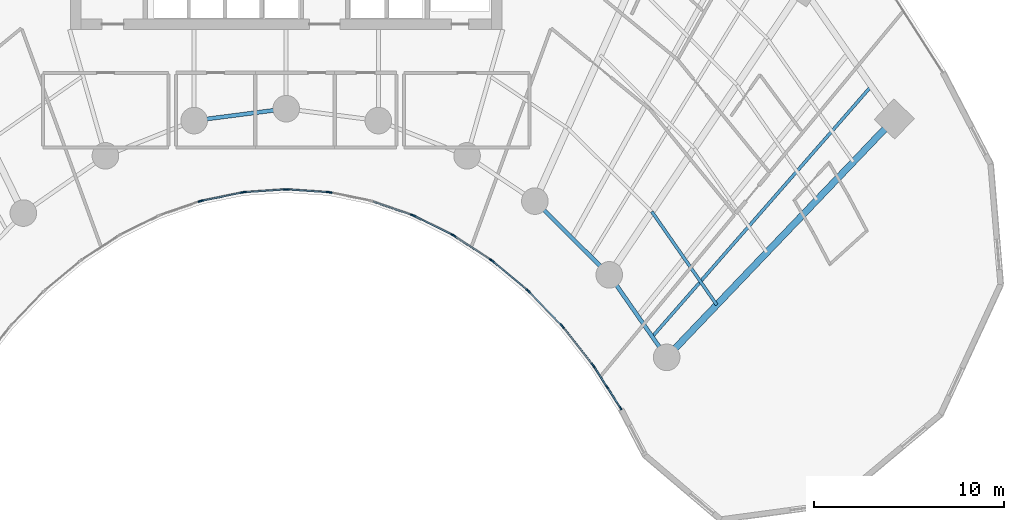
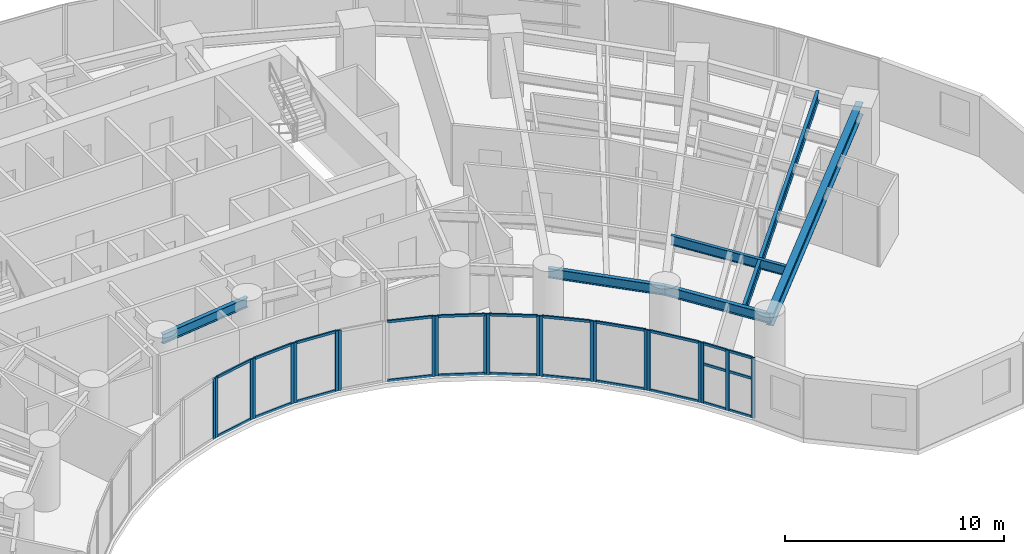
# One storey, part 4 of 17: 46 members, 6 beams, 12 elements without a shape of their own.
"""IFC4 building model written with IfcOpenShell, lengths in metres."""

from ifc_helpers import new_model, si_unit, direction, frame, origin, origin_2d, place, context, subcontext, project, spatial, rectangle, i_section, extrude, source, transform, mapped, material, layer, layer_set, material_profile, profile_set, type_object, type_shapes, element, aggregate, save


model = new_model("IFC4")

# Units and contexts
model_context = context("Model", 3, precision=1e-05, world=origin(), true_north=direction((0.0, 1.0)))
body_context = subcontext(model_context, "Body", "Model", "MODEL_VIEW")
ifc_project = project(units=[si_unit("LENGTHUNIT", "METRE"), si_unit("AREAUNIT", "SQUARE_METRE"), si_unit("VOLUMEUNIT", "CUBIC_METRE"), si_unit("PLANEANGLEUNIT", "RADIAN"), si_unit("MASSUNIT", "GRAM", prefix="KILO")], contexts=[model_context])

# Site, building, storey
site_placement = place(None, origin())
site = spatial("IfcSite", under=ifc_project, at=site_placement, CompositionType="ELEMENT")
building_placement = place(site_placement, origin())
building = spatial("IfcBuilding", under=site, at=building_placement, Name="Breltana Convention Tower", CompositionType="ELEMENT")
storey_placement = place(building_placement, frame((0.0, 0.0, 53.39990234375)))
storey = spatial("IfcBuildingStorey", under=building, at=storey_placement, Name="L11", CompositionType="ELEMENT", Elevation=53.39990234375)

# Beams
ifc_material_1 = material(Name="Steel ASTM A992 Grade 50", Category="steel")
ifc_material_profile_1 = material_profile(ifc_material_1, i_section(OverallWidth=0.35498046875, OverallDepth=0.696044921875, WebThickness=0.015380859375, FlangeThickness=0.02490234375, at=origin_2d()), Name="W27X146")
ifc_profile_set_1 = profile_set([ifc_material_profile_1], Name="Steel ASTM A992 Grade 50")
beam_type_1 = type_object("IfcBeamType", Name="BM-RG-W27X146", PredefinedType="USERDEFINED", material=ifc_profile_set_1)
shared_shape_1 = source(origin(), body_context, "Body", "SweptSolid", [
    extrude(i_section(OverallWidth=0.35498046875, OverallDepth=0.696044921875, WebThickness=0.015380859375, FlangeThickness=0.02490234375, at=origin_2d()), origin(), (0.0, 0.0, 1.0), 17.341064453125),
])
type_shapes(beam_type_1, [shared_shape_1])
beam_1_placement = place(storey_placement, frame((68.015380859375, 42.95458984375, 3.01220703125), z_axis=(0.690716462293, 0.723125693581, 0.0), x_axis=(-0.723125693581, 0.690716462293, 0.0)))
element("IfcBeam", 1, at=beam_1_placement, inside=storey, type_object=beam_type_1, Name="L11 Radial Floor Girder R11", ObjectType="GIRDER", PredefinedType="USERDEFINED", context=body_context, shape_type="MappedRepresentation", body=[
    mapped(shared_shape_1, transform((0.0, 0.0, 0.0), scale=1.0)),
])
ifc_material_profile_2 = material_profile(ifc_material_1, i_section(OverallWidth=0.2099609375, OverallDepth=0.537109375, WebThickness=0.010986328125, FlangeThickness=0.017333984375, at=origin_2d()), Name="W21X68")
ifc_profile_set_2 = profile_set([ifc_material_profile_2], Name="Steel ASTM A992 Grade 50")
beam_type_2 = type_object("IfcBeamType", Name="BM-BM-W21X68", PredefinedType="BEAM", material=ifc_profile_set_2)
shared_shape_2 = source(origin(), body_context, "Body", "SweptSolid", [
    extrude(i_section(OverallWidth=0.2099609375, OverallDepth=0.537109375, WebThickness=0.010986328125, FlangeThickness=0.017333984375, at=origin_2d()), origin(), (0.0, 0.0, 1.0), 4.88671875),
])
beam_2_placement = place(storey_placement, frame((43.153564453125, 55.41064453125, 3.091552734375), z_axis=(0.991780525565, 0.127950729231, 0.0), x_axis=(-0.127950729231, 0.991780525565, 0.0)))
element("IfcBeam", 2, at=beam_2_placement, inside=storey, type_object=beam_type_2, Name="L11 Inner Ring Beam 05", PredefinedType="BEAM", context=body_context, shape_type="MappedRepresentation", body=[
    mapped(shared_shape_2, transform((0.0, 0.0, 0.0), scale=1.0)),
])
shared_shape_3 = source(origin(), body_context, "Body", "SweptSolid", [
    extrude(i_section(OverallWidth=0.2099609375, OverallDepth=0.537109375, WebThickness=0.010986328125, FlangeThickness=0.017333984375, at=origin_2d()), origin(), (0.0, 0.0, 1.0), 5.51171875),
])
beam_3_placement = place(storey_placement, frame((61.08203125, 51.174560546875, 3.091552734375), z_axis=(0.710090360749, -0.704110559196, 0.0), x_axis=(0.704110559196, 0.710090360749, 0.0)))
element("IfcBeam", 3, at=beam_3_placement, inside=storey, type_object=beam_type_2, Name="L11 Inner Ring Beam 09", PredefinedType="BEAM", context=body_context, shape_type="MappedRepresentation", body=[
    mapped(shared_shape_3, transform((0.0, 0.0, 0.0), scale=1.0)),
])
shared_shape_4 = source(origin(), body_context, "Body", "SweptSolid", [
    extrude(i_section(OverallWidth=0.2099609375, OverallDepth=0.537109375, WebThickness=0.010986328125, FlangeThickness=0.017333984375, at=origin_2d()), origin(), (0.0, 0.0, 1.0), 5.286376953125),
])
beam_4_placement = place(storey_placement, frame((64.995849609375, 47.293701171875, 3.091552734375), z_axis=(0.571194382458, -0.82081482531, 0.0), x_axis=(0.82081482531, 0.571194382458, 0.0)))
element("IfcBeam", 4, at=beam_4_placement, inside=storey, type_object=beam_type_2, Name="L11 Inner Ring Beam 10", PredefinedType="BEAM", context=body_context, shape_type="MappedRepresentation", body=[
    mapped(shared_shape_4, transform((0.0, 0.0, 0.0), scale=1.0)),
])
ifc_material_profile_3 = material_profile(ifc_material_1, i_section(OverallWidth=0.166015625, OverallDepth=0.534912109375, WebThickness=0.01025390625, FlangeThickness=0.0166015625, at=origin_2d()), Name="W21X57")
ifc_profile_set_3 = profile_set([ifc_material_profile_3], Name="Steel ASTM A992 Grade 50")
beam_type_3 = type_object("IfcBeamType", Name="BM-JSG-05", PredefinedType="JOIST", material=ifc_profile_set_3)
shared_shape_5 = source(origin(), body_context, "Body", "SweptSolid", [
    extrude(i_section(OverallWidth=0.166015625, OverallDepth=0.534912109375, WebThickness=0.01025390625, FlangeThickness=0.0166015625, at=origin_2d()), origin(), (0.0, 0.0, 1.0), 5.982421875),
])
beam_5_placement = place(storey_placement, frame((67.2333984375, 50.623779296875, 3.092529296875), z_axis=(0.571211549446, -0.82080287876, 0.0), x_axis=(0.82080287876, 0.571211549446, 0.0)))
element("IfcBeam", 5, at=beam_5_placement, inside=storey, type_object=beam_type_3, Name="L11 Composite Floor Joist 10.1", PredefinedType="JOIST", context=body_context, shape_type="MappedRepresentation", body=[
    mapped(shared_shape_5, transform((0.0, 0.0, 0.0), scale=1.0)),
])
shared_shape_6 = source(origin(), body_context, "Body", "SweptSolid", [
    extrude(i_section(OverallWidth=0.166015625, OverallDepth=0.534912109375, WebThickness=0.01025390625, FlangeThickness=0.0166015625, at=origin_2d()), origin(), (0.0, 0.0, 1.0), 17.515625),
])
beam_6_placement = place(storey_placement, frame((67.260498046875, 44.03955078125, 3.092529296875), z_axis=(0.658051548324, 0.752972881151, 0.0), x_axis=(-0.752972881151, 0.658051548324, 0.0)))
element("IfcBeam", 6, at=beam_6_placement, inside=storey, type_object=beam_type_3, Name="L11 Quarter-Bay Radial Trimmer 10", PredefinedType="JOIST", context=body_context, shape_type="MappedRepresentation", body=[
    mapped(shared_shape_6, transform((0.0, 0.0, 0.0), scale=1.0)),
])

# Curtain wall, members
ifc_material_2 = material(Name="Aluminium Anodised Bronze Frame", Category="aluminium")
ifc_layer = layer(ifc_material_2, 0.18994140625, Name="Aluminium Anodised Bronze Frame")
ifc_layer_set = layer_set([ifc_layer], Name="Aluminium Anodised Bronze Frame")
curtain_wall_type = type_object("IfcCurtainWallType", Name="CW-SYS-1", PredefinedType="NOTDEFINED", material=ifc_layer_set)
curtain_wall_1_placement = place(storey_placement, origin())
curtain_wall_1 = element("IfcCurtainWall", 7, at=curtain_wall_1_placement, inside=storey, type_object=curtain_wall_type, Name="L11 inner south-court glazing 3", PredefinedType="NOTDEFINED")
ifc_material_3 = material(Name="Aluminium Anodised Bronze", Category="aluminium")
ifc_material_profile_4 = material_profile(ifc_material_3, rectangle(XDim=0.080078125, YDim=0.139892578125, at=origin_2d()), Name="CWT-80X140")
ifc_profile_set_4 = profile_set([ifc_material_profile_4], Name="Aluminium Anodised Bronze")
member_type_1 = type_object("IfcMemberType", Name="CWT-140", PredefinedType="USERDEFINED", material=ifc_profile_set_4)
shared_shape_7 = source(origin(), body_context, "Body", "SweptSolid", [
    extrude(rectangle(XDim=0.080078125, YDim=0.139892578125, at=origin_2d()), origin(), (0.0, 0.0, 1.0), 2.38720703125),
])
type_shapes(member_type_1, [shared_shape_7])
member_1_placement = place(storey_placement, frame((62.4560546875, 44.667724609375, 0.0400390625), z_axis=(-0.694623715393, 0.719373264734, 0.0), x_axis=(-0.719373264734, -0.694623715393, 0.0)))
member_1 = element("IfcMember", 8, at=member_1_placement, type_object=member_type_1, Name="CW-01 transom 1.1", ObjectType="TRANSOM", PredefinedType="USERDEFINED", context=body_context, shape_type="MappedRepresentation", body=[
    mapped(shared_shape_7, transform((0.0, 0.0, 0.0), scale=1.0)),
])
member_2_placement = place(storey_placement, frame((62.4560546875, 44.667724609375, 3.320068359375), z_axis=(-0.694623715393, 0.719373264734, 0.0), x_axis=(-0.719373264734, -0.694623715393, 0.0)))
member_2 = element("IfcMember", 9, at=member_2_placement, type_object=member_type_1, Name="CW-01 transom 1.2", ObjectType="TRANSOM", PredefinedType="USERDEFINED", context=body_context, shape_type="MappedRepresentation", body=[
    mapped(shared_shape_7, transform((0.0, 0.0, 0.0), scale=1.0)),
])

curtain_wall_2_placement = place(storey_placement, origin())
curtain_wall_2 = element("IfcCurtainWall", 10, at=curtain_wall_2_placement, inside=storey, type_object=curtain_wall_type, Name="L11 inner south-court glazing 4", PredefinedType="NOTDEFINED")
shared_shape_8 = source(origin(), body_context, "Body", "SweptSolid", [
    extrude(rectangle(XDim=0.080078125, YDim=0.139892578125, at=origin_2d()), origin(), (0.0, 0.0, 1.0), 2.312255859375),
])
member_3_placement = place(storey_placement, frame((60.666748046875, 46.5068359375, 0.0400390625), z_axis=(-0.767900974507, 0.640568570374, 0.0), x_axis=(-0.640568570374, -0.767900974507, 0.0)))
member_3 = element("IfcMember", 11, at=member_3_placement, type_object=member_type_1, Name="CW-01 transom 1.1", ObjectType="TRANSOM", PredefinedType="USERDEFINED", context=body_context, shape_type="MappedRepresentation", body=[
    mapped(shared_shape_8, transform((0.0, 0.0, 0.0), scale=1.0)),
])
member_4_placement = place(storey_placement, frame((60.666748046875, 46.5068359375, 3.320068359375), z_axis=(-0.767900974507, 0.640568570374, 0.0), x_axis=(-0.640568570374, -0.767900974507, 0.0)))
member_4 = element("IfcMember", 12, at=member_4_placement, type_object=member_type_1, Name="CW-01 transom 1.2", ObjectType="TRANSOM", PredefinedType="USERDEFINED", context=body_context, shape_type="MappedRepresentation", body=[
    mapped(shared_shape_8, transform((0.0, 0.0, 0.0), scale=1.0)),
])

curtain_wall_3_placement = place(storey_placement, origin())
curtain_wall_3 = element("IfcCurtainWall", 13, at=curtain_wall_3_placement, inside=storey, type_object=curtain_wall_type, Name="L11 inner south-court glazing 5", PredefinedType="NOTDEFINED")
shared_shape_9 = source(origin(), body_context, "Body", "SweptSolid", [
    extrude(rectangle(XDim=0.080078125, YDim=0.139892578125, at=origin_2d()), origin(), (0.0, 0.0, 1.0), 2.2421875),
])
member_5_placement = place(storey_placement, frame((58.746337890625, 48.095458984375, 0.0400390625), z_axis=(-0.835982353773, 0.548756324957, 0.0), x_axis=(-0.548756324957, -0.835982353773, 0.0)))
member_5 = element("IfcMember", 14, at=member_5_placement, type_object=member_type_1, Name="CW-01 transom 1.1", ObjectType="TRANSOM", PredefinedType="USERDEFINED", context=body_context, shape_type="MappedRepresentation", body=[
    mapped(shared_shape_9, transform((0.0, 0.0, 0.0), scale=1.0)),
])
member_6_placement = place(storey_placement, frame((58.746337890625, 48.095458984375, 3.320068359375), z_axis=(-0.835982353773, 0.548756324957, 0.0), x_axis=(-0.548756324957, -0.835982353773, 0.0)))
member_6 = element("IfcMember", 15, at=member_6_placement, type_object=member_type_1, Name="CW-01 transom 1.2", ObjectType="TRANSOM", PredefinedType="USERDEFINED", context=body_context, shape_type="MappedRepresentation", body=[
    mapped(shared_shape_9, transform((0.0, 0.0, 0.0), scale=1.0)),
])

curtain_wall_4_placement = place(storey_placement, origin())
curtain_wall_4 = element("IfcCurtainWall", 16, at=curtain_wall_4_placement, inside=storey, type_object=curtain_wall_type, Name="L11 inner south-court glazing 6", PredefinedType="NOTDEFINED")
shared_shape_10 = source(origin(), body_context, "Body", "SweptSolid", [
    extrude(rectangle(XDim=0.080078125, YDim=0.139892578125, at=origin_2d()), origin(), (0.0, 0.0, 1.0), 2.180908203125),
])
member_7_placement = place(storey_placement, frame((56.71435546875, 49.416015625, 0.0400390625), z_axis=(-0.895922266369, 0.444210865045, 0.0), x_axis=(-0.444210865045, -0.895922266369, 0.0)))
member_7 = element("IfcMember", 17, at=member_7_placement, type_object=member_type_1, Name="CW-01 transom 1.1", ObjectType="TRANSOM", PredefinedType="USERDEFINED", context=body_context, shape_type="MappedRepresentation", body=[
    mapped(shared_shape_10, transform((0.0, 0.0, 0.0), scale=1.0)),
])
member_8_placement = place(storey_placement, frame((56.71435546875, 49.416015625, 3.320068359375), z_axis=(-0.895922266369, 0.444210865045, 0.0), x_axis=(-0.444210865045, -0.895922266369, 0.0)))
member_8 = element("IfcMember", 18, at=member_8_placement, type_object=member_type_1, Name="CW-01 transom 1.2", ObjectType="TRANSOM", PredefinedType="USERDEFINED", context=body_context, shape_type="MappedRepresentation", body=[
    mapped(shared_shape_10, transform((0.0, 0.0, 0.0), scale=1.0)),
])

curtain_wall_5_placement = place(storey_placement, origin())
curtain_wall_5 = element("IfcCurtainWall", 19, at=curtain_wall_5_placement, inside=storey, type_object=curtain_wall_type, Name="L11 inner south-court glazing 9", PredefinedType="NOTDEFINED")
shared_shape_11 = source(origin(), body_context, "Body", "SweptSolid", [
    extrude(rectangle(XDim=0.080078125, YDim=0.139892578125, at=origin_2d()), origin(), (0.0, 0.0, 1.0), 2.07861328125),
])
member_9_placement = place(storey_placement, frame((50.165771484375, 51.6474609375, 0.0400390625), z_axis=(-0.997708627147, 0.067657189691, 0.0), x_axis=(-0.067657189691, -0.997708627147, 0.0)))
member_9 = element("IfcMember", 20, at=member_9_placement, type_object=member_type_1, Name="CW-01 transom 1.1", ObjectType="TRANSOM", PredefinedType="USERDEFINED", context=body_context, shape_type="MappedRepresentation", body=[
    mapped(shared_shape_11, transform((0.0, 0.0, 0.0), scale=1.0)),
])
member_10_placement = place(storey_placement, frame((50.165771484375, 51.6474609375, 3.320068359375), z_axis=(-0.997708627147, 0.067657189691, 0.0), x_axis=(-0.067657189691, -0.997708627147, 0.0)))
member_10 = element("IfcMember", 21, at=member_10_placement, type_object=member_type_1, Name="CW-01 transom 1.2", ObjectType="TRANSOM", PredefinedType="USERDEFINED", context=body_context, shape_type="MappedRepresentation", body=[
    mapped(shared_shape_11, transform((0.0, 0.0, 0.0), scale=1.0)),
])

curtain_wall_6_placement = place(storey_placement, origin())
curtain_wall_6 = element("IfcCurtainWall", 22, at=curtain_wall_6_placement, inside=storey, type_object=curtain_wall_type, Name="L11 inner south-court glazing 10", PredefinedType="NOTDEFINED")
member_11_placement = place(storey_placement, frame((47.907958984375, 51.7880859375, 0.0400390625), z_axis=(-0.997708627147, -0.067657189691, 0.0), x_axis=(0.067657189691, -0.997708627147, 0.0)))
member_11 = element("IfcMember", 23, at=member_11_placement, type_object=member_type_1, Name="CW-01 transom 1.1", ObjectType="TRANSOM", PredefinedType="USERDEFINED", context=body_context, shape_type="MappedRepresentation", body=[
    mapped(shared_shape_11, transform((0.0, 0.0, 0.0), scale=1.0)),
])
member_12_placement = place(storey_placement, frame((47.907958984375, 51.7880859375, 3.320068359375), z_axis=(-0.997708627147, -0.067657189691, 0.0), x_axis=(0.067657189691, -0.997708627147, 0.0)))
member_12 = element("IfcMember", 24, at=member_12_placement, type_object=member_type_1, Name="CW-01 transom 1.2", ObjectType="TRANSOM", PredefinedType="USERDEFINED", context=body_context, shape_type="MappedRepresentation", body=[
    mapped(shared_shape_11, transform((0.0, 0.0, 0.0), scale=1.0)),
])

curtain_wall_7_placement = place(storey_placement, origin())
curtain_wall_7 = element("IfcCurtainWall", 25, at=curtain_wall_7_placement, inside=storey, type_object=curtain_wall_type, Name="L11 inner south-court glazing 2", PredefinedType="NOTDEFINED")
shared_shape_12 = source(origin(), body_context, "Body", "SweptSolid", [
    extrude(rectangle(XDim=0.080078125, YDim=0.139892578125, at=origin_2d()), origin(), (0.0, 0.0, 1.0), 2.4638671875),
])
member_13_placement = place(storey_placement, frame((64.09619140625, 42.5966796875, 0.0400390625), z_axis=(-0.618184689608, 0.786032880695, 0.0), x_axis=(-0.786032880695, -0.618184689608, 0.0)))
member_13 = element("IfcMember", 26, at=member_13_placement, type_object=member_type_1, Name="CW-01 transom 1.1", ObjectType="TRANSOM", PredefinedType="USERDEFINED", context=body_context, shape_type="MappedRepresentation", body=[
    mapped(shared_shape_12, transform((0.0, 0.0, 0.0), scale=1.0)),
])
member_14_placement = place(storey_placement, frame((64.09619140625, 42.5966796875, 3.320068359375), z_axis=(-0.618184689608, 0.786032880695, 0.0), x_axis=(-0.786032880695, -0.618184689608, 0.0)))
member_14 = element("IfcMember", 27, at=member_14_placement, type_object=member_type_1, Name="CW-01 transom 1.2", ObjectType="TRANSOM", PredefinedType="USERDEFINED", context=body_context, shape_type="MappedRepresentation", body=[
    mapped(shared_shape_12, transform((0.0, 0.0, 0.0), scale=1.0)),
])

curtain_wall_8_placement = place(storey_placement, origin())
curtain_wall_8 = element("IfcCurtainWall", 28, at=curtain_wall_8_placement, inside=storey, type_object=curtain_wall_type, Name="L11 inner south-court glazing 1", PredefinedType="NOTDEFINED")
ifc_material_profile_5 = material_profile(ifc_material_3, rectangle(XDim=0.080078125, YDim=0.199951171875, at=origin_2d()), Name="CWM-80X200")
ifc_profile_set_5 = profile_set([ifc_material_profile_5], Name="Aluminium Anodised Bronze")
member_type_2 = type_object("IfcMemberType", Name="CWM-200", PredefinedType="MULLION", material=ifc_profile_set_5)
shared_shape_13 = source(origin(), body_context, "Body", "SweptSolid", [
    extrude(rectangle(XDim=0.080078125, YDim=0.199951171875, at=origin_2d()), origin(), (0.0, 0.0, 1.0), 3.360107421875),
])
member_15_placement = place(storey_placement, frame((65.59228515625, 40.281494140625, 0.0), z_axis=(0.0, 0.0, 1.0), x_axis=(-0.841556194767, -0.540169576197, 0.0)))
member_15 = element("IfcMember", 29, at=member_15_placement, type_object=member_type_2, Name="CW-01 mullion 1", PredefinedType="MULLION", context=body_context, shape_type="MappedRepresentation", body=[
    mapped(shared_shape_13, transform((0.0, 0.0, 0.0), scale=1.0)),
])
member_16_placement = place(storey_placement, frame((64.884765625, 41.3837890625, 0.0), z_axis=(0.0, 0.0, 1.0), x_axis=(-0.841556194767, -0.540169576197, 0.0)))
member_16 = element("IfcMember", 30, at=member_16_placement, type_object=member_type_2, Name="CW-01 mullion 2", PredefinedType="MULLION", context=body_context, shape_type="MappedRepresentation", body=[
    mapped(shared_shape_13, transform((0.0, 0.0, 0.0), scale=1.0)),
])
member_17_placement = place(storey_placement, frame((64.17724609375, 42.48583984375, 0.0), z_axis=(0.0, 0.0, 1.0), x_axis=(-0.841556194767, -0.540169576197, 0.0)))
member_17 = element("IfcMember", 31, at=member_17_placement, type_object=member_type_2, Name="CW-01 mullion 3", PredefinedType="MULLION", context=body_context, shape_type="MappedRepresentation", body=[
    mapped(shared_shape_13, transform((0.0, 0.0, 0.0), scale=1.0)),
])

# Member
member_18_placement = place(storey_placement, frame((64.12109375, 42.565185546875, 0.0), z_axis=(0.0, 0.0, 1.0), x_axis=(-0.786057762734, -0.61815305034, 0.0)))
member_18 = element("IfcMember", 32, at=member_18_placement, type_object=member_type_2, Name="CW-01 mullion 1", PredefinedType="MULLION", context=body_context, shape_type="MappedRepresentation", body=[
    mapped(shared_shape_13, transform((0.0, 0.0, 0.0), scale=1.0)),
])

member_19_placement = place(storey_placement, frame((62.54833984375, 44.56494140625, 0.0), z_axis=(0.0, 0.0, 1.0), x_axis=(-0.786057762734, -0.61815305034, 0.0)))
member_19 = element("IfcMember", 33, at=member_19_placement, type_object=member_type_2, Name="CW-01 mullion 2", PredefinedType="MULLION", context=body_context, shape_type="MappedRepresentation", body=[
    mapped(shared_shape_13, transform((0.0, 0.0, 0.0), scale=1.0)),
])

aggregate(curtain_wall_7, [member_18, member_19, member_13, member_14])

member_20_placement = place(storey_placement, frame((62.48388671875, 44.638916015625, 0.0), z_axis=(0.0, 0.0, 1.0), x_axis=(-0.719384548773, -0.694612029111, 0.0)))
member_20 = element("IfcMember", 34, at=member_20_placement, type_object=member_type_2, Name="CW-01 mullion 1", PredefinedType="MULLION", context=body_context, shape_type="MappedRepresentation", body=[
    mapped(shared_shape_13, transform((0.0, 0.0, 0.0), scale=1.0)),
])

member_21_placement = place(storey_placement, frame((60.77001953125, 46.413818359375, 0.0), z_axis=(0.0, 0.0, 1.0), x_axis=(-0.719384548773, -0.694612029111, 0.0)))
member_21 = element("IfcMember", 35, at=member_21_placement, type_object=member_type_2, Name="CW-01 mullion 2", PredefinedType="MULLION", context=body_context, shape_type="MappedRepresentation", body=[
    mapped(shared_shape_13, transform((0.0, 0.0, 0.0), scale=1.0)),
])

aggregate(curtain_wall_1, [member_20, member_21, member_1, member_2])

member_22_placement = place(storey_placement, frame((60.697265625, 46.481201171875, 0.0), z_axis=(0.0, 0.0, 1.0), x_axis=(-0.640522524458, -0.767939382804, 0.0)))
member_22 = element("IfcMember", 36, at=member_22_placement, type_object=member_type_2, Name="CW-01 mullion 1", PredefinedType="MULLION", context=body_context, shape_type="MappedRepresentation", body=[
    mapped(shared_shape_13, transform((0.0, 0.0, 0.0), scale=1.0)),
])

member_23_placement = place(storey_placement, frame((58.8603515625, 48.013671875, 0.0), z_axis=(0.0, 0.0, 1.0), x_axis=(-0.640522524458, -0.767939382804, 0.0)))
member_23 = element("IfcMember", 37, at=member_23_placement, type_object=member_type_2, Name="CW-01 mullion 2", PredefinedType="MULLION", context=body_context, shape_type="MappedRepresentation", body=[
    mapped(shared_shape_13, transform((0.0, 0.0, 0.0), scale=1.0)),
])

aggregate(curtain_wall_2, [member_22, member_23, member_3, member_4])

member_24_placement = place(storey_placement, frame((58.779541015625, 48.073486328125, 0.0), z_axis=(0.0, 0.0, 1.0), x_axis=(-0.548778278441, -0.835967942634, 0.0)))
member_24 = element("IfcMember", 38, at=member_24_placement, type_object=member_type_2, Name="CW-01 mullion 1", PredefinedType="MULLION", context=body_context, shape_type="MappedRepresentation", body=[
    mapped(shared_shape_13, transform((0.0, 0.0, 0.0), scale=1.0)),
])

member_25_placement = place(storey_placement, frame((56.83837890625, 49.347900390625, 0.0), z_axis=(0.0, 0.0, 1.0), x_axis=(-0.548778278441, -0.835967942634, 0.0)))
member_25 = element("IfcMember", 39, at=member_25_placement, type_object=member_type_2, Name="CW-01 mullion 2", PredefinedType="MULLION", context=body_context, shape_type="MappedRepresentation", body=[
    mapped(shared_shape_13, transform((0.0, 0.0, 0.0), scale=1.0)),
])

aggregate(curtain_wall_3, [member_24, member_25, member_5, member_6])

member_26_placement = place(storey_placement, frame((56.750244140625, 49.3984375, 0.0), z_axis=(0.0, 0.0, 1.0), x_axis=(-0.444117987602, -0.895968310315, 0.0)))
member_26 = element("IfcMember", 40, at=member_26_placement, type_object=member_type_2, Name="CW-01 mullion 1", PredefinedType="MULLION", context=body_context, shape_type="MappedRepresentation", body=[
    mapped(shared_shape_13, transform((0.0, 0.0, 0.0), scale=1.0)),
])

member_27_placement = place(storey_placement, frame((54.724609375, 50.40234375, 0.0), z_axis=(0.0, 0.0, 1.0), x_axis=(-0.444117987602, -0.895968310315, 0.0)))
member_27 = element("IfcMember", 41, at=member_27_placement, type_object=member_type_2, Name="CW-01 mullion 2", PredefinedType="MULLION", context=body_context, shape_type="MappedRepresentation", body=[
    mapped(shared_shape_13, transform((0.0, 0.0, 0.0), scale=1.0)),
])

aggregate(curtain_wall_4, [member_26, member_27, member_7, member_8])

# Curtain wall, member
curtain_wall_9_placement = place(storey_placement, origin())
curtain_wall_9 = element("IfcCurtainWall", 42, at=curtain_wall_9_placement, inside=storey, type_object=curtain_wall_type, Name="L11 inner south-court glazing 7", PredefinedType="NOTDEFINED")
member_28_placement = place(storey_placement, frame((54.6298828125, 50.442138671875, 0.0), z_axis=(0.0, 0.0, 1.0), x_axis=(-0.327413341714, -0.944881211406, 0.0)))
member_28 = element("IfcMember", 43, at=member_28_placement, type_object=member_type_2, Name="CW-01 mullion 1", PredefinedType="MULLION", context=body_context, shape_type="MappedRepresentation", body=[
    mapped(shared_shape_13, transform((0.0, 0.0, 0.0), scale=1.0)),
])

curtain_wall_10_placement = place(storey_placement, origin())
curtain_wall_10 = element("IfcCurtainWall", 44, at=curtain_wall_10_placement, inside=storey, type_object=curtain_wall_type, Name="L11 inner south-court glazing 8", PredefinedType="NOTDEFINED")
member_29_placement = place(storey_placement, frame((50.30859375, 51.630615234375, 0.0), z_axis=(0.0, 0.0, 1.0), x_axis=(-0.200886350278, -0.97961455393, 0.0)))
member_29 = element("IfcMember", 45, at=member_29_placement, type_object=member_type_2, Name="CW-01 mullion 2", PredefinedType="MULLION", context=body_context, shape_type="MappedRepresentation", body=[
    mapped(shared_shape_13, transform((0.0, 0.0, 0.0), scale=1.0)),
])
aggregate(curtain_wall_10, [member_29])

# Member
member_30_placement = place(storey_placement, frame((50.20556640625, 51.644775390625, 0.0), z_axis=(0.0, 0.0, 1.0), x_axis=(-0.067725752326, -0.997703975371, 0.0)))
member_30 = element("IfcMember", 46, at=member_30_placement, type_object=member_type_2, Name="CW-01 mullion 1", PredefinedType="MULLION", context=body_context, shape_type="MappedRepresentation", body=[
    mapped(shared_shape_13, transform((0.0, 0.0, 0.0), scale=1.0)),
])

member_31_placement = place(storey_placement, frame((48.052001953125, 51.790771484375, 0.0), z_axis=(0.0, 0.0, 1.0), x_axis=(-0.067725752326, -0.997703975371, 0.0)))
member_31 = element("IfcMember", 47, at=member_31_placement, type_object=member_type_2, Name="CW-01 mullion 2", PredefinedType="MULLION", context=body_context, shape_type="MappedRepresentation", body=[
    mapped(shared_shape_13, transform((0.0, 0.0, 0.0), scale=1.0)),
])

aggregate(curtain_wall_5, [member_30, member_31, member_9, member_10])

member_32_placement = place(storey_placement, frame((47.947998046875, 51.790771484375, 0.0), z_axis=(0.0, 0.0, 1.0), x_axis=(0.067725752326, -0.997703975371, 0.0)))
member_32 = element("IfcMember", 48, at=member_32_placement, type_object=member_type_2, Name="CW-01 mullion 1", PredefinedType="MULLION", context=body_context, shape_type="MappedRepresentation", body=[
    mapped(shared_shape_13, transform((0.0, 0.0, 0.0), scale=1.0)),
])

member_33_placement = place(storey_placement, frame((45.79443359375, 51.644775390625, 0.0), z_axis=(0.0, 0.0, 1.0), x_axis=(0.067725752326, -0.997703975371, 0.0)))
member_33 = element("IfcMember", 49, at=member_33_placement, type_object=member_type_2, Name="CW-01 mullion 2", PredefinedType="MULLION", context=body_context, shape_type="MappedRepresentation", body=[
    mapped(shared_shape_13, transform((0.0, 0.0, 0.0), scale=1.0)),
])

aggregate(curtain_wall_6, [member_32, member_33, member_11, member_12])

# Curtain wall, members
curtain_wall_11_placement = place(storey_placement, origin())
curtain_wall_11 = element("IfcCurtainWall", 50, at=curtain_wall_11_placement, inside=storey, type_object=curtain_wall_type, Name="L11 inner south-court glazing 11", PredefinedType="NOTDEFINED")
member_34_placement = place(storey_placement, frame((45.69140625, 51.630615234375, 0.0), z_axis=(0.0, 0.0, 1.0), x_axis=(0.200886350278, -0.97961455393, 0.0)))
member_34 = element("IfcMember", 51, at=member_34_placement, type_object=member_type_2, Name="CW-01 mullion 1", PredefinedType="MULLION", context=body_context, shape_type="MappedRepresentation", body=[
    mapped(shared_shape_13, transform((0.0, 0.0, 0.0), scale=1.0)),
])
member_35_placement = place(storey_placement, frame((43.55908203125, 51.193359375, 0.0), z_axis=(0.0, 0.0, 1.0), x_axis=(0.200886350278, -0.97961455393, 0.0)))
member_35 = element("IfcMember", 52, at=member_35_placement, type_object=member_type_2, Name="CW-01 mullion 2", PredefinedType="MULLION", context=body_context, shape_type="MappedRepresentation", body=[
    mapped(shared_shape_13, transform((0.0, 0.0, 0.0), scale=1.0)),
])

# Curtain wall, member
curtain_wall_12_placement = place(storey_placement, origin())
curtain_wall_12 = element("IfcCurtainWall", 53, at=curtain_wall_12_placement, inside=storey, type_object=curtain_wall_type, Name="L11 inner south-court glazing 12", PredefinedType="NOTDEFINED")
member_36_placement = place(storey_placement, frame((43.45947265625, 51.166015625, 0.0), z_axis=(0.0, 0.0, 1.0), x_axis=(0.327413341714, -0.944881211406, 0.0)))
member_36 = element("IfcMember", 54, at=member_36_placement, type_object=member_type_2, Name="CW-01 mullion 1", PredefinedType="MULLION", context=body_context, shape_type="MappedRepresentation", body=[
    mapped(shared_shape_13, transform((0.0, 0.0, 0.0), scale=1.0)),
])
aggregate(curtain_wall_12, [member_36])

# Member
shared_shape_14 = source(origin(), body_context, "Body", "SweptSolid", [
    extrude(rectangle(XDim=0.080078125, YDim=0.139892578125, at=origin_2d()), origin(), (0.0, 0.0, 1.0), 1.229736328125),
])
member_37_placement = place(storey_placement, frame((65.57080078125, 40.315185546875, 0.0400390625), z_axis=(-0.540185543357, 0.841545945714, 0.0), x_axis=(-0.841545945714, -0.540185543357, 0.0)))
member_37 = element("IfcMember", 55, at=member_37_placement, type_object=member_type_1, Name="CW-01 transom 1.1", ObjectType="TRANSOM", PredefinedType="USERDEFINED", context=body_context, shape_type="MappedRepresentation", body=[
    mapped(shared_shape_14, transform((0.0, 0.0, 0.0), scale=1.0)),
])

member_38_placement = place(storey_placement, frame((65.57080078125, 40.315185546875, 2.18408203125), z_axis=(-0.540185543357, 0.841545945714, 0.0), x_axis=(-0.841545945714, -0.540185543357, 0.0)))
member_38 = element("IfcMember", 56, at=member_38_placement, type_object=member_type_1, Name="CW-01 transom 1.2", ObjectType="TRANSOM", PredefinedType="USERDEFINED", context=body_context, shape_type="MappedRepresentation", body=[
    mapped(shared_shape_14, transform((0.0, 0.0, 0.0), scale=1.0)),
])

member_39_placement = place(storey_placement, frame((65.57080078125, 40.315185546875, 3.320068359375), z_axis=(-0.540185543357, 0.841545945714, 0.0), x_axis=(-0.841545945714, -0.540185543357, 0.0)))
member_39 = element("IfcMember", 57, at=member_39_placement, type_object=member_type_1, Name="CW-01 transom 1.3", ObjectType="TRANSOM", PredefinedType="USERDEFINED", context=body_context, shape_type="MappedRepresentation", body=[
    mapped(shared_shape_14, transform((0.0, 0.0, 0.0), scale=1.0)),
])

member_40_placement = place(storey_placement, frame((64.86328125, 41.41748046875, 0.0400390625), z_axis=(-0.540185543357, 0.841545945714, 0.0), x_axis=(-0.841545945714, -0.540185543357, 0.0)))
member_40 = element("IfcMember", 58, at=member_40_placement, type_object=member_type_1, Name="CW-01 transom 2.1", ObjectType="TRANSOM", PredefinedType="USERDEFINED", context=body_context, shape_type="MappedRepresentation", body=[
    mapped(shared_shape_14, transform((0.0, 0.0, 0.0), scale=1.0)),
])

member_41_placement = place(storey_placement, frame((64.86328125, 41.41748046875, 2.18408203125), z_axis=(-0.540185543357, 0.841545945714, 0.0), x_axis=(-0.841545945714, -0.540185543357, 0.0)))
member_41 = element("IfcMember", 59, at=member_41_placement, type_object=member_type_1, Name="CW-01 transom 2.2", ObjectType="TRANSOM", PredefinedType="USERDEFINED", context=body_context, shape_type="MappedRepresentation", body=[
    mapped(shared_shape_14, transform((0.0, 0.0, 0.0), scale=1.0)),
])

member_42_placement = place(storey_placement, frame((64.86328125, 41.41748046875, 3.320068359375), z_axis=(-0.540185543357, 0.841545945714, 0.0), x_axis=(-0.841545945714, -0.540185543357, 0.0)))
member_42 = element("IfcMember", 60, at=member_42_placement, type_object=member_type_1, Name="CW-01 transom 2.3", ObjectType="TRANSOM", PredefinedType="USERDEFINED", context=body_context, shape_type="MappedRepresentation", body=[
    mapped(shared_shape_14, transform((0.0, 0.0, 0.0), scale=1.0)),
])

aggregate(curtain_wall_8, [member_15, member_16, member_17, member_37, member_38, member_39, member_40, member_41, member_42])

shared_shape_15 = source(origin(), body_context, "Body", "SweptSolid", [
    extrude(rectangle(XDim=0.080078125, YDim=0.139892578125, at=origin_2d()), origin(), (0.0, 0.0, 1.0), 2.131103515625),
])
member_43_placement = place(storey_placement, frame((54.592041015625, 50.455078125, 0.0400390625), z_axis=(-0.944847069856, 0.327511854112, 0.0), x_axis=(-0.327511854112, -0.944847069856, 0.0)))
member_43 = element("IfcMember", 61, at=member_43_placement, type_object=member_type_1, Name="CW-01 transom 1.1", ObjectType="TRANSOM", PredefinedType="USERDEFINED", context=body_context, shape_type="MappedRepresentation", body=[
    mapped(shared_shape_15, transform((0.0, 0.0, 0.0), scale=1.0)),
])

member_44_placement = place(storey_placement, frame((54.592041015625, 50.455078125, 3.320068359375), z_axis=(-0.944847069856, 0.327511854112, 0.0), x_axis=(-0.327511854112, -0.944847069856, 0.0)))
member_44 = element("IfcMember", 62, at=member_44_placement, type_object=member_type_1, Name="CW-01 transom 1.2", ObjectType="TRANSOM", PredefinedType="USERDEFINED", context=body_context, shape_type="MappedRepresentation", body=[
    mapped(shared_shape_15, transform((0.0, 0.0, 0.0), scale=1.0)),
])

aggregate(curtain_wall_9, [member_28, member_43, member_44])

shared_shape_16 = source(origin(), body_context, "Body", "SweptSolid", [
    extrude(rectangle(XDim=0.080078125, YDim=0.139892578125, at=origin_2d()), origin(), (0.0, 0.0, 1.0), 2.096435546875),
])
member_45_placement = place(storey_placement, frame((45.652099609375, 51.62255859375, 0.0400390625), z_axis=(-0.979615042233, -0.200883969074, 0.0), x_axis=(0.200883969074, -0.979615042233, 0.0)))
member_45 = element("IfcMember", 63, at=member_45_placement, type_object=member_type_1, Name="CW-01 transom 1.1", ObjectType="TRANSOM", PredefinedType="USERDEFINED", context=body_context, shape_type="MappedRepresentation", body=[
    mapped(shared_shape_16, transform((0.0, 0.0, 0.0), scale=1.0)),
])

member_46_placement = place(storey_placement, frame((45.652099609375, 51.62255859375, 3.320068359375), z_axis=(-0.979615042233, -0.200883969074, 0.0), x_axis=(0.200883969074, -0.979615042233, 0.0)))
member_46 = element("IfcMember", 64, at=member_46_placement, type_object=member_type_1, Name="CW-01 transom 1.2", ObjectType="TRANSOM", PredefinedType="USERDEFINED", context=body_context, shape_type="MappedRepresentation", body=[
    mapped(shared_shape_16, transform((0.0, 0.0, 0.0), scale=1.0)),
])

aggregate(curtain_wall_11, [member_34, member_35, member_45, member_46])

save(model, "model.ifc")
